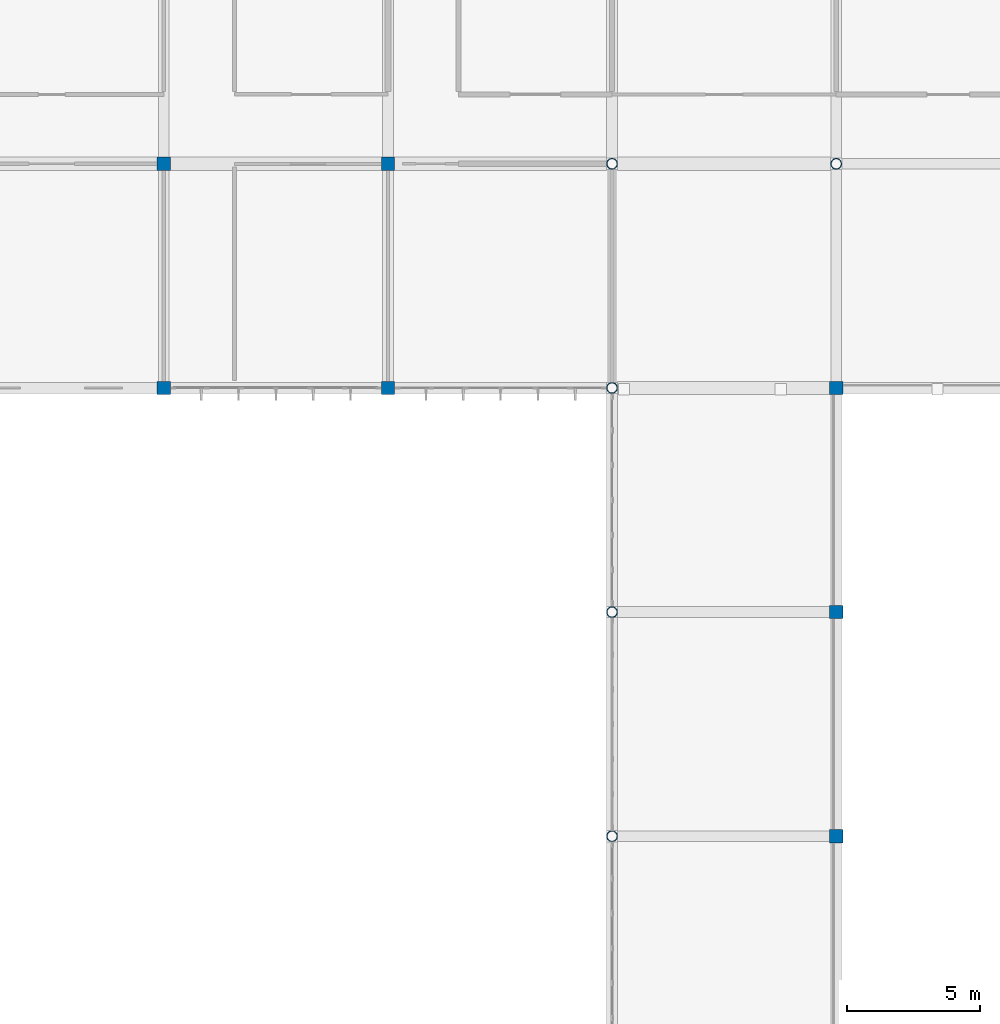
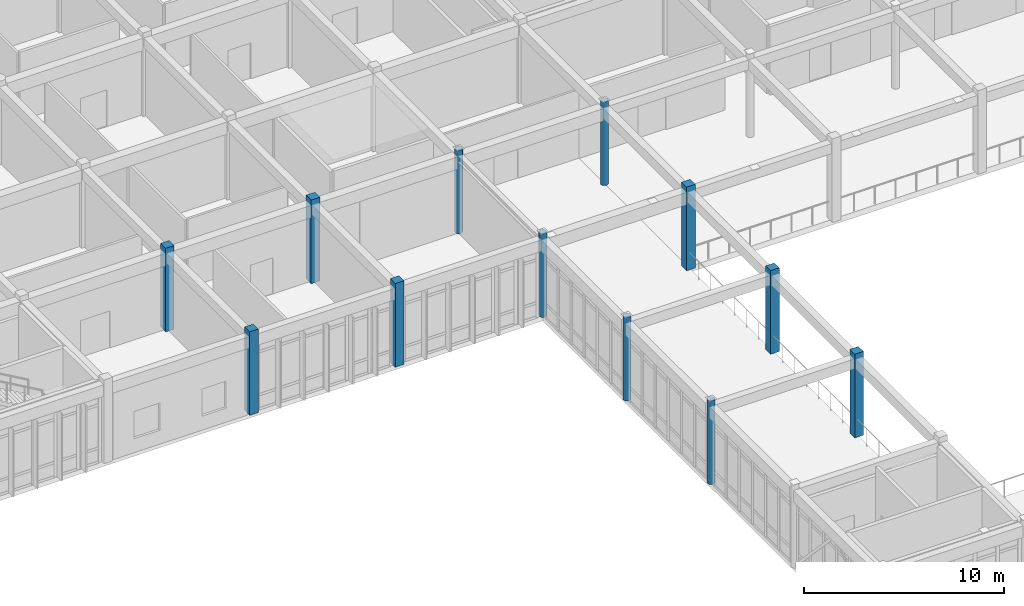
# One storey, part 3 of 134: 12 columns.
"""IFC4 building model written with IfcOpenShell, lengths in metres."""

from ifc_helpers import new_model, si_unit, direction, frame, origin, origin_2d, place, context, subcontext, project, spatial, rectangle, hollow_circle, extrude, material, material_profile, profile_set, type_object, element, save


model = new_model("IFC4")

# Units and contexts
model_context = context("Model", 3, precision=1e-05, world=origin(), true_north=direction((0.0, 1.0)))
body_context = subcontext(model_context, "Body", "Model", "MODEL_VIEW")
ifc_project = project(units=[si_unit("LENGTHUNIT", "METRE"), si_unit("AREAUNIT", "SQUARE_METRE"), si_unit("VOLUMEUNIT", "CUBIC_METRE"), si_unit("PLANEANGLEUNIT", "RADIAN"), si_unit("MASSUNIT", "GRAM", prefix="KILO")], contexts=[model_context])

# Site, building, storey
site_placement = place(None, origin())
site = spatial("IfcSite", under=ifc_project, at=site_placement, CompositionType="ELEMENT")
building_placement = place(site_placement, origin())
building = spatial("IfcBuilding", under=site, at=building_placement, Name="Bramfleet General Hospital", CompositionType="ELEMENT")
storey_placement = place(building_placement, frame((0.0, 0.0, 9.300048828125)))
storey = spatial("IfcBuildingStorey", under=building, at=storey_placement, Name="L02", CompositionType="ELEMENT", Elevation=9.300048828125)

# Columns
ifc_material_1 = material(Name="Steel S355", Category="steel")
ifc_material_profile_1 = material_profile(ifc_material_1, hollow_circle(Radius=0.203125, WallThickness=0.01611328125, at=origin_2d()), Name="CHS 406.4x16.0")
ifc_profile_set_1 = profile_set([ifc_material_profile_1], Name="Steel S355")
column_type_1 = type_object("IfcColumnType", Name="COL-CHS406", PredefinedType="COLUMN", material=ifc_profile_set_1)
for number, where, z_axis, x_axis, name in (
    (1, (50.39990234375, 33.60009765625, 0.0), (0.0, 0.0, 1.0), (1.0, 0.0, 0.0), "Column COL-L02-06-04"),
    (2, (50.39990234375, 42.0, 0.0), (0.0, 0.0, 1.0), (1.0, 0.0, 0.0), "Column COL-L02-06-05"),
    (3, (50.39990234375, 50.39990234375, 0.0), (0.0, 0.0, 1.0), (1.0, 0.0, 0.0), "Column COL-L02-06-06"),
    (4, (50.39990234375, 58.800048828125, 0.0), (0.0, 0.0, 1.0), (1.0, 0.0, 0.0), "Column COL-L02-06-07"),
    (5, (58.800048828125, 58.800048828125, 0.0), (0.0, 0.0, 1.0), (1.0, 0.0, 0.0), "Column COL-L02-07-07"),
):
    element("IfcColumn", number, at=place(storey_placement, frame(where, z_axis=z_axis, x_axis=x_axis)), inside=storey, type_object=column_type_1, Name=name, PredefinedType="COLUMN", context=body_context, shape_type="SweptSolid", body=[
        extrude(hollow_circle(Radius=0.203125, WallThickness=0.01611328125, at=origin_2d()), origin(), (0.0, 0.0, 1.0), 5.099853515625),
    ])
ifc_material_2 = material(Name="Concrete C40/50", Category="concrete")
ifc_material_profile_2 = material_profile(ifc_material_2, rectangle(XDim=0.5, YDim=0.5, at=origin_2d()), Name="RC COL 500x500")
ifc_profile_set_2 = profile_set([ifc_material_profile_2], Name="Concrete C40/50")
column_type_2 = type_object("IfcColumnType", Name="COL-RC500", PredefinedType="COLUMN", material=ifc_profile_set_2)
for number, where, z_axis, x_axis, name in (
    (6, (33.60009765625, 50.39990234375, 0.0), (0.0, 0.0, 1.0), (1.0, 0.0, 0.0), "Column COL-L02-04-06"),
    (7, (33.60009765625, 58.800048828125, 0.0), (0.0, 0.0, 1.0), (1.0, 0.0, 0.0), "Column COL-L02-04-07"),
    (8, (42.0, 50.39990234375, 0.0), (0.0, 0.0, 1.0), (1.0, 0.0, 0.0), "Column COL-L02-05-06"),
    (9, (42.0, 58.800048828125, 0.0), (0.0, 0.0, 1.0), (1.0, 0.0, 0.0), "Column COL-L02-05-07"),
    (10, (58.800048828125, 33.60009765625, 0.0), (0.0, 0.0, 1.0), (1.0, 0.0, 0.0), "Column COL-L02-07-04"),
    (11, (58.800048828125, 42.0, 0.0), (0.0, 0.0, 1.0), (1.0, 0.0, 0.0), "Column COL-L02-07-05"),
    (12, (58.800048828125, 50.39990234375, 0.0), (0.0, 0.0, 1.0), (1.0, 0.0, 0.0), "Column COL-L02-07-06"),
):
    element("IfcColumn", number, at=place(storey_placement, frame(where, z_axis=z_axis, x_axis=x_axis)), inside=storey, type_object=column_type_2, Name=name, PredefinedType="COLUMN", context=body_context, shape_type="SweptSolid", body=[
        extrude(rectangle(XDim=0.5, YDim=0.5, at=origin_2d()), origin(), (0.0, 0.0, 1.0), 5.099853515625),
    ])

save(model, "model.ifc")
